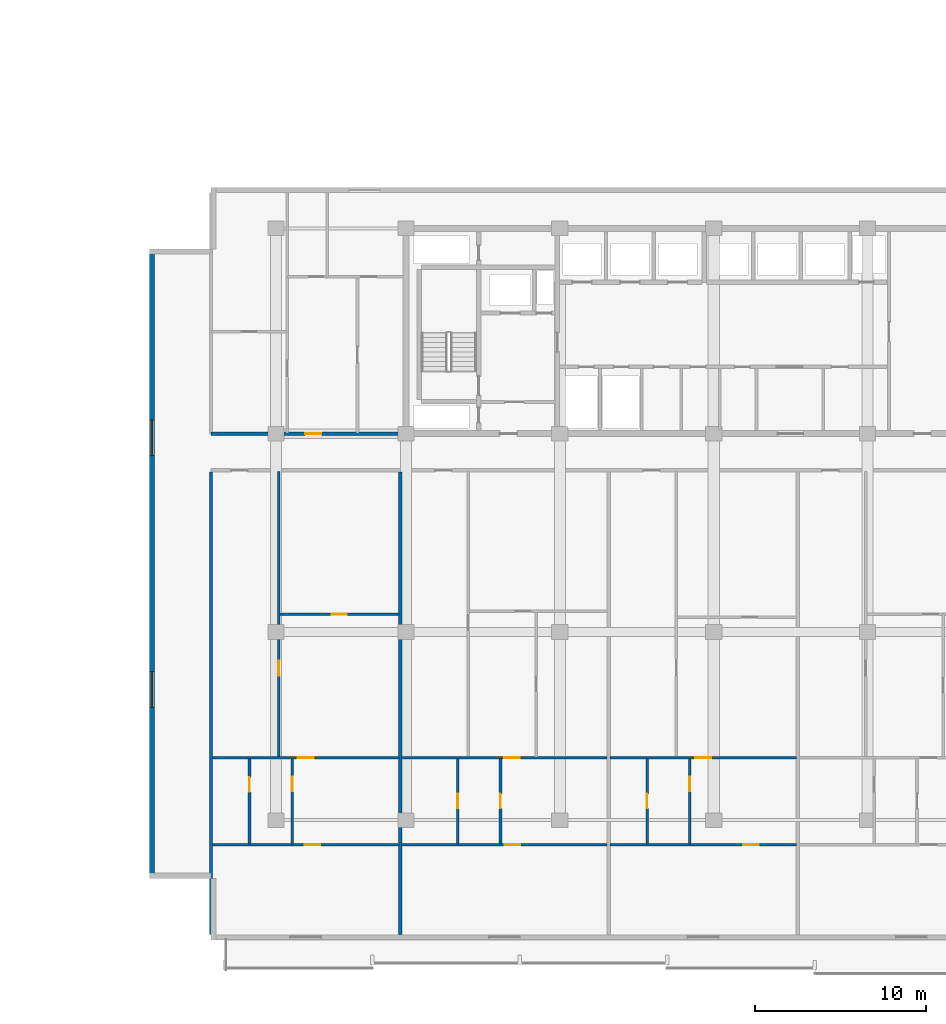
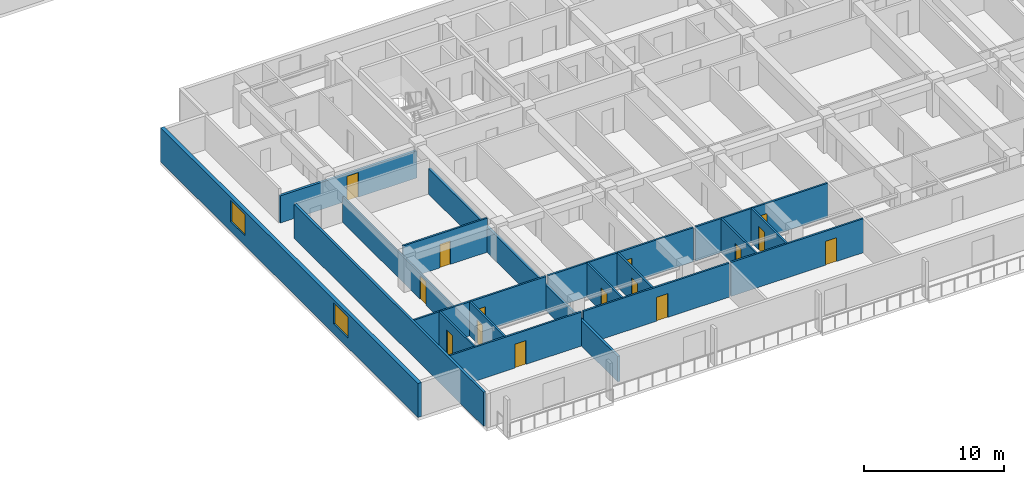
# One storey, part 4 of 23: 18 walls, 15 doors, 2 windows, 17 openings.
"""IFC4 building model written with IfcOpenShell, lengths in metres."""

from ifc_helpers import new_model, si_unit, direction, frame, frame_2d, origin, place, context, subcontext, project, spatial, rectangle, extrude, material, layer, layer_set, type_object, element, fill, save


model = new_model("IFC4")

# Units and contexts
model_context = context("Model", 3, precision=1e-05, world=origin(), true_north=direction((0.0, 1.0)))
body_context = subcontext(model_context, "Body", "Model", "MODEL_VIEW")
ifc_project = project(units=[si_unit("LENGTHUNIT", "METRE"), si_unit("AREAUNIT", "SQUARE_METRE"), si_unit("VOLUMEUNIT", "CUBIC_METRE"), si_unit("PLANEANGLEUNIT", "RADIAN"), si_unit("MASSUNIT", "GRAM", prefix="KILO")], contexts=[model_context])

# Site, building, storey
site_placement = place(None, origin())
site = spatial("IfcSite", under=ifc_project, at=site_placement, CompositionType="ELEMENT")
building_placement = place(site_placement, origin())
building = spatial("IfcBuilding", under=site, at=building_placement, Name="Korimba Cascade Residences", CompositionType="ELEMENT")
storey_placement = place(building_placement, frame((0.0, 0.0, 27.25)))
storey = spatial("IfcBuildingStorey", under=building, at=storey_placement, Name="L06", CompositionType="ELEMENT", Elevation=27.25)

# Wall, openings, windows
ifc_material_1 = material(Name="Precast concrete C40/50", Category="concrete")
ifc_layer_1 = layer(ifc_material_1, 0.300048828125)
ifc_layer_set_1 = layer_set([ifc_layer_1], Name="Precast concrete C40/50")
wall_type_1 = type_object("IfcWallType", Name="EW-STONE-300", PredefinedType="STANDARD", material=ifc_layer_set_1)
wall_1_placement = place(storey_placement, frame((67.25, 29.199951171875, 0.0), z_axis=(0.0, 0.0, 1.0), x_axis=(0.0, -1.0, 0.0)))
wall_1 = element("IfcWall", 1, at=wall_1_placement, inside=storey, type_object=wall_type_1, Name="L06 T2 Perimeter Stone Wall E09", PredefinedType="STANDARD", context=body_context, shape_type="SweptSolid", body=[
    extrude(rectangle(XDim=36.800048828125, YDim=0.300048828125, at=frame_2d((18.39990234375, 0.0))), origin(), (0.0, 0.0, 1.0), 2.969970703125),
])
opening_1_placement = place(wall_1_placement, frame((9.989990234375, 0.0, 0.85009765625)))
opening_1 = element("IfcOpeningElement", 2, at=opening_1_placement, cuts=wall_1, Name="Opening W-03", PredefinedType="OPENING", context=body_context, shape_type="SweptSolid", body=[
    extrude(rectangle(XDim=2.10009765625, YDim=1.85009765625, at=frame_2d((1.050048828125, 0.925048828125))), frame((0.0, 0.16015625, 0.0), z_axis=(0.0, -1.0, 0.0), x_axis=(1.0, 0.0, 0.0)), (0.0, 0.0, 1.0), 0.320068359375),
])
opening_2_placement = place(wall_1_placement, frame((24.7099609375, 0.0, 0.85009765625)))
opening_2 = element("IfcOpeningElement", 3, at=opening_2_placement, cuts=wall_1, Name="Opening W-03", PredefinedType="OPENING", context=body_context, shape_type="SweptSolid", body=[
    extrude(rectangle(XDim=2.10009765625, YDim=1.85009765625, at=frame_2d((1.050048828125, 0.925048828125))), frame((0.0, 0.16015625, 0.0), z_axis=(0.0, -1.0, 0.0), x_axis=(1.0, 0.0, 0.0)), (0.0, 0.0, 1.0), 0.320068359375),
])
ifc_material_2 = material(Name="Double-Glazed Aluminium Window", Category="aluminium")
window_type = type_object("IfcWindowType", Name="WIN-CRN-2100", PartitioningType="DOUBLE_PANEL_HORIZONTAL", PredefinedType="WINDOW", material=ifc_material_2)
window_1_placement = place(opening_1_placement, origin())
window_1 = element("IfcWindow", 4, at=window_1_placement, inside=storey, type_object=window_type, Name="L06 T2 End View Window 9.1", OverallHeight=1.85009765625, OverallWidth=2.10009765625, PartitioningType="DOUBLE_PANEL_HORIZONTAL", PredefinedType="WINDOW", context=body_context, shape_type="SweptSolid", body=[
    extrude(rectangle(XDim=2.10009765625, YDim=1.85009765625, at=frame_2d((1.050048828125, 0.925048828125))), frame((0.0, 0.030029296875, 0.0), z_axis=(0.0, -1.0, 0.0), x_axis=(1.0, 0.0, 0.0)), (0.0, 0.0, 1.0), 0.06005859375),
])
fill(opening_1, window_1)
window_2_placement = place(opening_2_placement, origin())
window_2 = element("IfcWindow", 5, at=window_2_placement, inside=storey, type_object=window_type, Name="L06 T2 End View Window 9.2", OverallHeight=1.85009765625, OverallWidth=2.10009765625, PartitioningType="DOUBLE_PANEL_HORIZONTAL", PredefinedType="WINDOW", context=body_context, shape_type="SweptSolid", body=[
    extrude(rectangle(XDim=2.10009765625, YDim=1.85009765625, at=frame_2d((1.050048828125, 0.925048828125))), frame((0.0, 0.030029296875, 0.0), z_axis=(0.0, -1.0, 0.0), x_axis=(1.0, 0.0, 0.0)), (0.0, 0.0, 1.0), 0.06005859375),
])
fill(opening_2, window_2)

# Wall, opening, door
ifc_layer_2 = layer(ifc_material_1, 0.199951171875)
ifc_layer_set_2 = layer_set([ifc_layer_2], Name="Precast concrete C40/50")
wall_type_2 = type_object("IfcWallType", Name="WAL-IT-200", PredefinedType="PARTITIONING", material=ifc_layer_set_2)
wall_2_placement = place(storey_placement, frame((70.699951171875, 18.39990234375, 0.0), z_axis=(0.0, 0.0, 1.0), x_axis=(1.0, 0.0, 0.0)))
wall_2 = element("IfcWall", 6, at=wall_2_placement, inside=storey, type_object=wall_type_2, Name="L06 Partition Wall WAL-L06-T2-FW-S", PredefinedType="PARTITIONING", context=body_context, shape_type="SweptSolid", body=[
    extrude(rectangle(XDim=11.25, YDim=0.199951171875, at=frame_2d((5.625, 0.0))), origin(), (0.0, 0.0, 1.0), 2.3701171875),
])
opening_3_placement = place(wall_2_placement, frame((5.50634765625, 0.0, 0.0)))
opening_3 = element("IfcOpeningElement", 7, at=opening_3_placement, cuts=wall_2, Name="Opening D-UN1", PredefinedType="OPENING", context=body_context, shape_type="SweptSolid", body=[
    extrude(rectangle(XDim=0.949951171875, YDim=2.14990234375, at=frame_2d((0.47509765625, 1.074951171875))), frame((0.0, 0.10986328125, 0.0), z_axis=(0.0, -1.0, 0.0), x_axis=(1.0, 0.0, 0.0)), (0.0, 0.0, 1.0), 0.219970703125),
])
ifc_material_3 = material(Name="Fire-Rated Hardwood Apartment Entrance Door", Category="wood")
door_type_1 = type_object("IfcDoorType", Name="DR-FD60-950", OperationType="NOTDEFINED", PredefinedType="DOOR", material=ifc_material_3)
door_1_placement = place(opening_3_placement, origin())
door_1 = element("IfcDoor", 8, at=door_1_placement, inside=storey, type_object=door_type_1, Name="L06-T2-FW Entrance Door", OperationType="SINGLE_SWING_RIGHT", OverallHeight=2.14990234375, OverallWidth=0.949951171875, PredefinedType="DOOR", context=body_context, shape_type="SweptSolid", body=[
    extrude(rectangle(XDim=0.949951171875, YDim=2.14990234375, at=frame_2d((0.47509765625, 1.074951171875))), frame((0.0, 0.02490234375, 0.0), z_axis=(0.0, -1.0, 0.0), x_axis=(1.0, 0.0, 0.0)), (0.0, 0.0, 1.0), 0.050048828125),
])
fill(opening_3, door_1)

# Walls
wall_3_placement = place(storey_placement, frame((70.699951171875, -10.89990234375, 0.0), z_axis=(0.0, 0.0, 1.0), x_axis=(0.0, 1.0, 0.0)))
element("IfcWall", 9, at=wall_3_placement, inside=storey, type_object=wall_type_2, Name="L06 Partition Wall WAL-L06-T2-BNDWL", PredefinedType="PARTITIONING", context=body_context, shape_type="SweptSolid", body=[
    extrude(rectangle(XDim=27.06982421875, YDim=0.199951171875, at=frame_2d((13.534912109375, 0.0))), origin(), (0.0, 0.0, 1.0), 2.969970703125),
])
wall_4_placement = place(storey_placement, frame((81.771484375, -10.89990234375, 0.0), z_axis=(0.0, 0.0, 1.0), x_axis=(0.0, 1.0, 0.0)))
element("IfcWall", 10, at=wall_4_placement, inside=storey, type_object=wall_type_2, Name="L06 Partition Wall WAL-L06-T2-DEM-1", PredefinedType="PARTITIONING", context=body_context, shape_type="SweptSolid", body=[
    extrude(rectangle(XDim=27.06982421875, YDim=0.199951171875, at=frame_2d((13.534912109375, 0.0))), origin(), (0.0, 0.0, 1.0), 2.219970703125),
])

# Wall, opening, door
ifc_material_4 = material(Name="Insulated Acoustic Stud Partition", Category="gypsum")
ifc_layer_3 = layer(ifc_material_4, 0.14990234375)
ifc_layer_set_3 = layer_set([ifc_layer_3], Name="Insulated Acoustic Stud Partition")
wall_type_3 = type_object("IfcWallType", Name="WAL-PART-150", PredefinedType="PARTITIONING", material=ifc_layer_set_3)
wall_5_placement = place(storey_placement, frame((74.72998046875, 7.840087890625, 0.0), z_axis=(0.0, 0.0, 1.0), x_axis=(1.0, 0.0, 0.0)))
wall_5 = element("IfcWall", 11, at=wall_5_placement, inside=storey, type_object=wall_type_3, Name="L06 Partition Wall WAL-L06-T2-U01-FMH", PredefinedType="PARTITIONING", context=body_context, shape_type="SweptSolid", body=[
    extrude(rectangle(XDim=6.96142578125, YDim=0.14990234375, at=frame_2d((3.480712890625, 0.0))), origin(), (0.0, 0.0, 1.0), 2.969970703125),
])
opening_4_placement = place(wall_5_placement, frame((3.040771484375, 0.0, 0.0)))
opening_4 = element("IfcOpeningElement", 12, at=opening_4_placement, cuts=wall_5, Name="Opening D-IN2", PredefinedType="OPENING", context=body_context, shape_type="SweptSolid", body=[
    extrude(rectangle(XDim=0.8798828125, YDim=2.06005859375, at=frame_2d((0.43994140625, 1.030029296875))), frame((0.0, 0.0849609375, 0.0), z_axis=(0.0, -1.0, 0.0), x_axis=(1.0, 0.0, 0.0)), (0.0, 0.0, 1.0), 0.169921875),
])
ifc_material_5 = material(Name="Acoustic Timber Bedroom Door", Category="wood")
door_type_2 = type_object("IfcDoorType", Name="DR-INT-880", OperationType="NOTDEFINED", PredefinedType="DOOR", material=ifc_material_5)
door_2_placement = place(opening_4_placement, origin())
door_2 = element("IfcDoor", 13, at=door_2_placement, inside=storey, type_object=door_type_2, Name="L06-T2-U01 Library Salon Door", OperationType="SINGLE_SWING_LEFT", OverallHeight=2.06005859375, OverallWidth=0.8798828125, PredefinedType="DOOR", context=body_context, shape_type="SweptSolid", body=[
    extrude(rectangle(XDim=0.8798828125, YDim=2.06005859375, at=frame_2d((0.43994140625, 1.030029296875))), frame((0.0, 0.02490234375, 0.0), z_axis=(0.0, -1.0, 0.0), x_axis=(1.0, 0.0, 0.0)), (0.0, 0.0, 1.0), 0.050048828125),
])
fill(opening_4, door_2)

wall_6_placement = place(storey_placement, frame((74.669921875, -0.510009765625, 0.0), z_axis=(0.0, 0.0, 1.0), x_axis=(0.0, 1.0, 0.0)))
wall_6 = element("IfcWall", 14, at=wall_6_placement, inside=storey, type_object=wall_type_3, Name="L06 Partition Wall WAL-L06-T2-U01-FV", PredefinedType="PARTITIONING", context=body_context, shape_type="SweptSolid", body=[
    extrude(rectangle(XDim=16.699951171875, YDim=0.14990234375, at=frame_2d((8.35009765625, 0.0))), origin(), (0.0, 0.0, 1.0), 2.219970703125),
])
opening_5_placement = place(wall_6_placement, frame((4.746826171875, 0.0, 0.0)))
opening_5 = element("IfcOpeningElement", 15, at=opening_5_placement, cuts=wall_6, Name="Opening D-IN2", PredefinedType="OPENING", context=body_context, shape_type="SweptSolid", body=[
    extrude(rectangle(XDim=0.8798828125, YDim=2.06005859375, at=frame_2d((0.43994140625, 1.030029296875))), frame((0.0, 0.0849609375, 0.0), z_axis=(0.0, -1.0, 0.0), x_axis=(1.0, 0.0, 0.0)), (0.0, 0.0, 1.0), 0.169921875),
])
door_3_placement = place(opening_5_placement, origin())
door_3 = element("IfcDoor", 16, at=door_3_placement, inside=storey, type_object=door_type_2, Name="L06-T2-U01 Media Lounge Door", OperationType="SINGLE_SWING_RIGHT", OverallHeight=2.06005859375, OverallWidth=0.8798828125, PredefinedType="DOOR", context=body_context, shape_type="SweptSolid", body=[
    extrude(rectangle(XDim=0.8798828125, YDim=2.06005859375, at=frame_2d((0.43994140625, 1.030029296875))), frame((0.0, 0.02490234375, 0.0), z_axis=(0.0, -1.0, 0.0), x_axis=(1.0, 0.0, 0.0)), (0.0, 0.0, 1.0), 0.050048828125),
])
fill(opening_5, door_3)

wall_7_placement = place(storey_placement, frame((72.951416015625, -5.590087890625, 0.0), z_axis=(0.0, 0.0, 1.0), x_axis=(0.0, 1.0, 0.0)))
wall_7 = element("IfcWall", 17, at=wall_7_placement, inside=storey, type_object=wall_type_3, Name="L06 Partition Wall WAL-L06-T2-U01-CLS", PredefinedType="PARTITIONING", context=body_context, shape_type="SweptSolid", body=[
    extrude(rectangle(XDim=5.0, YDim=0.14990234375, at=frame_2d((2.5, 0.0))), origin(), (0.0, 0.0, 1.0), 2.969970703125),
])
opening_6_placement = place(wall_7_placement, frame((3.048828125, 0.0, 0.0)))
opening_6 = element("IfcOpeningElement", 18, at=opening_6_placement, cuts=wall_7, Name="Opening D-BT1", PredefinedType="OPENING", context=body_context, shape_type="SweptSolid", body=[
    extrude(rectangle(XDim=0.840087890625, YDim=2.0400390625, at=frame_2d((0.419921875, 1.02001953125))), frame((0.0, 0.0849609375, 0.0), z_axis=(0.0, -1.0, 0.0), x_axis=(1.0, 0.0, 0.0)), (0.0, 0.0, 1.0), 0.169921875),
])
ifc_material_6 = material(Name="Moisture-Resistant Bathroom Timber Door", Category="wood")
door_type_3 = type_object("IfcDoorType", Name="DR-INT-850", OperationType="NOTDEFINED", PredefinedType="DOOR", material=ifc_material_6)
door_4_placement = place(opening_6_placement, origin())
door_4 = element("IfcDoor", 19, at=door_4_placement, inside=storey, type_object=door_type_3, Name="L06-T2-U01 Closet Door", OperationType="SINGLE_SWING_LEFT", OverallHeight=2.0400390625, OverallWidth=0.840087890625, PredefinedType="DOOR", context=body_context, shape_type="SweptSolid", body=[
    extrude(rectangle(XDim=0.840087890625, YDim=2.0400390625, at=frame_2d((0.419921875, 1.02001953125))), frame((0.0, 0.02490234375, 0.0), z_axis=(0.0, -1.0, 0.0), x_axis=(1.0, 0.0, 0.0)), (0.0, 0.0, 1.0), 0.050048828125),
])
fill(opening_6, door_4)

wall_8_placement = place(storey_placement, frame((75.451416015625, -5.590087890625, 0.0), z_axis=(0.0, 0.0, 1.0), x_axis=(0.0, 1.0, 0.0)))
wall_8 = element("IfcWall", 20, at=wall_8_placement, inside=storey, type_object=wall_type_3, Name="L06 Partition Wall WAL-L06-T2-U01-BM", PredefinedType="PARTITIONING", context=body_context, shape_type="SweptSolid", body=[
    extrude(rectangle(XDim=5.0, YDim=0.14990234375, at=frame_2d((2.5, 0.0))), origin(), (0.0, 0.0, 1.0), 2.969970703125),
])
opening_7_placement = place(wall_8_placement, frame((3.087890625, 0.0, 0.0)))
opening_7 = element("IfcOpeningElement", 21, at=opening_7_placement, cuts=wall_8, Name="Opening D-BT1", PredefinedType="OPENING", context=body_context, shape_type="SweptSolid", body=[
    extrude(rectangle(XDim=0.840087890625, YDim=2.0400390625, at=frame_2d((0.419921875, 1.02001953125))), frame((0.0, 0.0849609375, 0.0), z_axis=(0.0, -1.0, 0.0), x_axis=(1.0, 0.0, 0.0)), (0.0, 0.0, 1.0), 0.169921875),
])
door_5_placement = place(opening_7_placement, origin())
door_5 = element("IfcDoor", 22, at=door_5_placement, inside=storey, type_object=door_type_3, Name="L06-T2-U01 Bathroom Door", OperationType="SINGLE_SWING_RIGHT", OverallHeight=2.0400390625, OverallWidth=0.840087890625, PredefinedType="DOOR", context=body_context, shape_type="SweptSolid", body=[
    extrude(rectangle(XDim=0.840087890625, YDim=2.0400390625, at=frame_2d((0.419921875, 1.02001953125))), frame((0.0, 0.02490234375, 0.0), z_axis=(0.0, -1.0, 0.0), x_axis=(1.0, 0.0, 0.0)), (0.0, 0.0, 1.0), 0.050048828125),
])
fill(opening_7, door_5)

wall_9_placement = place(storey_placement, frame((70.780029296875, -0.550048828125, 0.0), z_axis=(0.0, 0.0, 1.0), x_axis=(1.0, 0.0, 0.0)))
wall_9 = element("IfcWall", 23, at=wall_9_placement, inside=storey, type_object=wall_type_3, Name="L06 Partition Wall WAL-L06-T2-U01-MW", PredefinedType="PARTITIONING", context=body_context, shape_type="SweptSolid", body=[
    extrude(rectangle(XDim=10.911376953125, YDim=0.14990234375, at=frame_2d((5.45556640625, 0.0))), origin(), (0.0, 0.0, 1.0), 2.969970703125),
])
opening_8_placement = place(wall_9_placement, frame((4.99560546875, 0.0, 0.0)))
opening_8 = element("IfcOpeningElement", 24, at=opening_8_placement, cuts=wall_9, Name="Opening D-IN1", PredefinedType="OPENING", context=body_context, shape_type="SweptSolid", body=[
    extrude(rectangle(XDim=0.919921875, YDim=2.080078125, at=frame_2d((0.4599609375, 1.0400390625))), frame((0.0, 0.0849609375, 0.0), z_axis=(0.0, -1.0, 0.0), x_axis=(1.0, 0.0, 0.0)), (0.0, 0.0, 1.0), 0.169921875),
])
ifc_material_7 = material(Name="Acoustic Timber Living Door", Category="wood")
door_type_4 = type_object("IfcDoorType", Name="DR-INT-920", OperationType="NOTDEFINED", PredefinedType="DOOR", material=ifc_material_7)
door_6_placement = place(opening_8_placement, origin())
door_6 = element("IfcDoor", 25, at=door_6_placement, inside=storey, type_object=door_type_4, Name="L06-T2-U01 Studio Kitchen Door", OperationType="SINGLE_SWING_LEFT", OverallHeight=2.080078125, OverallWidth=0.919921875, PredefinedType="DOOR", context=body_context, shape_type="SweptSolid", body=[
    extrude(rectangle(XDim=0.919921875, YDim=2.080078125, at=frame_2d((0.4599609375, 1.0400390625))), frame((0.0, 0.02490234375, 0.0), z_axis=(0.0, -1.0, 0.0), x_axis=(1.0, 0.0, 0.0)), (0.0, 0.0, 1.0), 0.050048828125),
])
fill(opening_8, door_6)

wall_10_placement = place(storey_placement, frame((70.780029296875, -5.64990234375, 0.0), z_axis=(0.0, 0.0, 1.0), x_axis=(1.0, 0.0, 0.0)))
wall_10 = element("IfcWall", 26, at=wall_10_placement, inside=storey, type_object=wall_type_3, Name="L06 Partition Wall WAL-L06-T2-U01-HZ", PredefinedType="PARTITIONING", context=body_context, shape_type="SweptSolid", body=[
    extrude(rectangle(XDim=10.911376953125, YDim=0.14990234375, at=frame_2d((5.45556640625, 0.0))), origin(), (0.0, 0.0, 1.0), 2.969970703125),
])
opening_9_placement = place(wall_10_placement, frame((5.3994140625, 0.0, 0.0)))
opening_9 = element("IfcOpeningElement", 27, at=opening_9_placement, cuts=wall_10, Name="Opening D-IN1", PredefinedType="OPENING", context=body_context, shape_type="SweptSolid", body=[
    extrude(rectangle(XDim=0.919921875, YDim=2.080078125, at=frame_2d((0.4599609375, 1.0400390625))), frame((0.0, 0.0849609375, 0.0), z_axis=(0.0, -1.0, 0.0), x_axis=(1.0, 0.0, 0.0)), (0.0, 0.0, 1.0), 0.169921875),
])
door_7_placement = place(opening_9_placement, origin())
door_7 = element("IfcDoor", 28, at=door_7_placement, inside=storey, type_object=door_type_4, Name="L06-T2-U01 Studio Door", OperationType="SINGLE_SWING_RIGHT", OverallHeight=2.080078125, OverallWidth=0.919921875, PredefinedType="DOOR", context=body_context, shape_type="SweptSolid", body=[
    extrude(rectangle(XDim=0.919921875, YDim=2.080078125, at=frame_2d((0.4599609375, 1.0400390625))), frame((0.0, 0.02490234375, 0.0), z_axis=(0.0, -1.0, 0.0), x_axis=(1.0, 0.0, 0.0)), (0.0, 0.0, 1.0), 0.050048828125),
])
fill(opening_9, door_7)

wall_11_placement = place(storey_placement, frame((85.1298828125, -5.590087890625, 0.0), z_axis=(0.0, 0.0, 1.0), x_axis=(0.0, 1.0, 0.0)))
wall_11 = element("IfcWall", 29, at=wall_11_placement, inside=storey, type_object=wall_type_3, Name="L06 Partition Wall WAL-L06-T2-U02-CLS", PredefinedType="PARTITIONING", context=body_context, shape_type="SweptSolid", body=[
    extrude(rectangle(XDim=5.0, YDim=0.14990234375, at=frame_2d((2.5, 0.0))), origin(), (0.0, 0.0, 1.0), 2.969970703125),
])
opening_10_placement = place(wall_11_placement, frame((2.080078125, 0.0, 0.0)))
opening_10 = element("IfcOpeningElement", 30, at=opening_10_placement, cuts=wall_11, Name="Opening D-BT1", PredefinedType="OPENING", context=body_context, shape_type="SweptSolid", body=[
    extrude(rectangle(XDim=0.840087890625, YDim=2.0400390625, at=frame_2d((0.419921875, 1.02001953125))), frame((0.0, 0.0849609375, 0.0), z_axis=(0.0, -1.0, 0.0), x_axis=(1.0, 0.0, 0.0)), (0.0, 0.0, 1.0), 0.169921875),
])
door_8_placement = place(opening_10_placement, origin())
door_8 = element("IfcDoor", 31, at=door_8_placement, inside=storey, type_object=door_type_3, Name="L06-T2-U02 Closet Door", OperationType="SINGLE_SWING_RIGHT", OverallHeight=2.0400390625, OverallWidth=0.840087890625, PredefinedType="DOOR", context=body_context, shape_type="SweptSolid", body=[
    extrude(rectangle(XDim=0.840087890625, YDim=2.0400390625, at=frame_2d((0.419921875, 1.02001953125))), frame((0.0, 0.02490234375, 0.0), z_axis=(0.0, -1.0, 0.0), x_axis=(1.0, 0.0, 0.0)), (0.0, 0.0, 1.0), 0.050048828125),
])
fill(opening_10, door_8)

wall_12_placement = place(storey_placement, frame((87.6298828125, -5.590087890625, 0.0), z_axis=(0.0, 0.0, 1.0), x_axis=(0.0, 1.0, 0.0)))
wall_12 = element("IfcWall", 32, at=wall_12_placement, inside=storey, type_object=wall_type_3, Name="L06 Partition Wall WAL-L06-T2-U02-BM", PredefinedType="PARTITIONING", context=body_context, shape_type="SweptSolid", body=[
    extrude(rectangle(XDim=5.0, YDim=0.14990234375, at=frame_2d((2.5, 0.0))), origin(), (0.0, 0.0, 1.0), 2.969970703125),
])
opening_11_placement = place(wall_12_placement, frame((2.080078125, 0.0, 0.0)))
opening_11 = element("IfcOpeningElement", 33, at=opening_11_placement, cuts=wall_12, Name="Opening D-BT1", PredefinedType="OPENING", context=body_context, shape_type="SweptSolid", body=[
    extrude(rectangle(XDim=0.840087890625, YDim=2.0400390625, at=frame_2d((0.419921875, 1.02001953125))), frame((0.0, 0.0849609375, 0.0), z_axis=(0.0, -1.0, 0.0), x_axis=(1.0, 0.0, 0.0)), (0.0, 0.0, 1.0), 0.169921875),
])
door_9_placement = place(opening_11_placement, origin())
door_9 = element("IfcDoor", 34, at=door_9_placement, inside=storey, type_object=door_type_3, Name="L06-T2-U02 Bathroom Door", OperationType="SINGLE_SWING_LEFT", OverallHeight=2.0400390625, OverallWidth=0.840087890625, PredefinedType="DOOR", context=body_context, shape_type="SweptSolid", body=[
    extrude(rectangle(XDim=0.840087890625, YDim=2.0400390625, at=frame_2d((0.419921875, 1.02001953125))), frame((0.0, 0.02490234375, 0.0), z_axis=(0.0, -1.0, 0.0), x_axis=(1.0, 0.0, 0.0)), (0.0, 0.0, 1.0), 0.050048828125),
])
fill(opening_11, door_9)

wall_13_placement = place(storey_placement, frame((81.851318359375, -0.550048828125, 0.0), z_axis=(0.0, 0.0, 1.0), x_axis=(1.0, 0.0, 0.0)))
wall_13 = element("IfcWall", 35, at=wall_13_placement, inside=storey, type_object=wall_type_3, Name="L06 Partition Wall WAL-L06-T2-U02-MW", PredefinedType="PARTITIONING", context=body_context, shape_type="SweptSolid", body=[
    extrude(rectangle(XDim=12.018798828125, YDim=0.14990234375, at=frame_2d((6.00927734375, 0.0))), origin(), (0.0, 0.0, 1.0), 2.969970703125),
])
opening_12_placement = place(wall_13_placement, frame((5.99853515625, 0.0, 0.0)))
opening_12 = element("IfcOpeningElement", 36, at=opening_12_placement, cuts=wall_13, Name="Opening D-IN1", PredefinedType="OPENING", context=body_context, shape_type="SweptSolid", body=[
    extrude(rectangle(XDim=0.919921875, YDim=2.080078125, at=frame_2d((0.4599609375, 1.0400390625))), frame((0.0, 0.0849609375, 0.0), z_axis=(0.0, -1.0, 0.0), x_axis=(1.0, 0.0, 0.0)), (0.0, 0.0, 1.0), 0.169921875),
])
door_10_placement = place(opening_12_placement, origin())
door_10 = element("IfcDoor", 37, at=door_10_placement, inside=storey, type_object=door_type_4, Name="L06-T2-U02 Studio Kitchen Door", OperationType="SINGLE_SWING_RIGHT", OverallHeight=2.080078125, OverallWidth=0.919921875, PredefinedType="DOOR", context=body_context, shape_type="SweptSolid", body=[
    extrude(rectangle(XDim=0.919921875, YDim=2.080078125, at=frame_2d((0.4599609375, 1.0400390625))), frame((0.0, 0.02490234375, 0.0), z_axis=(0.0, -1.0, 0.0), x_axis=(1.0, 0.0, 0.0)), (0.0, 0.0, 1.0), 0.050048828125),
])
fill(opening_12, door_10)

wall_14_placement = place(storey_placement, frame((81.851318359375, -5.64990234375, 0.0), z_axis=(0.0, 0.0, 1.0), x_axis=(1.0, 0.0, 0.0)))
wall_14 = element("IfcWall", 38, at=wall_14_placement, inside=storey, type_object=wall_type_3, Name="L06 Partition Wall WAL-L06-T2-U02-HZ", PredefinedType="PARTITIONING", context=body_context, shape_type="SweptSolid", body=[
    extrude(rectangle(XDim=12.018798828125, YDim=0.14990234375, at=frame_2d((6.00927734375, 0.0))), origin(), (0.0, 0.0, 1.0), 2.969970703125),
])
opening_13_placement = place(wall_14_placement, frame((6.028564453125, 0.0, 0.0)))
opening_13 = element("IfcOpeningElement", 39, at=opening_13_placement, cuts=wall_14, Name="Opening D-IN1", PredefinedType="OPENING", context=body_context, shape_type="SweptSolid", body=[
    extrude(rectangle(XDim=0.919921875, YDim=2.080078125, at=frame_2d((0.4599609375, 1.0400390625))), frame((0.0, 0.0849609375, 0.0), z_axis=(0.0, -1.0, 0.0), x_axis=(1.0, 0.0, 0.0)), (0.0, 0.0, 1.0), 0.169921875),
])
door_11_placement = place(opening_13_placement, origin())
door_11 = element("IfcDoor", 40, at=door_11_placement, inside=storey, type_object=door_type_4, Name="L06-T2-U02 Studio Door", OperationType="SINGLE_SWING_LEFT", OverallHeight=2.080078125, OverallWidth=0.919921875, PredefinedType="DOOR", context=body_context, shape_type="SweptSolid", body=[
    extrude(rectangle(XDim=0.919921875, YDim=2.080078125, at=frame_2d((0.4599609375, 1.0400390625))), frame((0.0, 0.02490234375, 0.0), z_axis=(0.0, -1.0, 0.0), x_axis=(1.0, 0.0, 0.0)), (0.0, 0.0, 1.0), 0.050048828125),
])
fill(opening_13, door_11)

wall_15_placement = place(storey_placement, frame((96.201416015625, -5.590087890625, 0.0), z_axis=(0.0, 0.0, 1.0), x_axis=(0.0, 1.0, 0.0)))
wall_15 = element("IfcWall", 41, at=wall_15_placement, inside=storey, type_object=wall_type_3, Name="L06 Partition Wall WAL-L06-T2-U03-CLS", PredefinedType="PARTITIONING", context=body_context, shape_type="SweptSolid", body=[
    extrude(rectangle(XDim=5.0, YDim=0.14990234375, at=frame_2d((2.5, 0.0))), origin(), (0.0, 0.0, 1.0), 2.969970703125),
])
opening_14_placement = place(wall_15_placement, frame((2.080078125, 0.0, 0.0)))
opening_14 = element("IfcOpeningElement", 42, at=opening_14_placement, cuts=wall_15, Name="Opening D-BT1", PredefinedType="OPENING", context=body_context, shape_type="SweptSolid", body=[
    extrude(rectangle(XDim=0.840087890625, YDim=2.0400390625, at=frame_2d((0.419921875, 1.02001953125))), frame((0.0, 0.0849609375, 0.0), z_axis=(0.0, -1.0, 0.0), x_axis=(1.0, 0.0, 0.0)), (0.0, 0.0, 1.0), 0.169921875),
])
door_12_placement = place(opening_14_placement, origin())
door_12 = element("IfcDoor", 43, at=door_12_placement, inside=storey, type_object=door_type_3, Name="L06-T2-U03 Closet Door", OperationType="SINGLE_SWING_RIGHT", OverallHeight=2.0400390625, OverallWidth=0.840087890625, PredefinedType="DOOR", context=body_context, shape_type="SweptSolid", body=[
    extrude(rectangle(XDim=0.840087890625, YDim=2.0400390625, at=frame_2d((0.419921875, 1.02001953125))), frame((0.0, 0.02490234375, 0.0), z_axis=(0.0, -1.0, 0.0), x_axis=(1.0, 0.0, 0.0)), (0.0, 0.0, 1.0), 0.050048828125),
])
fill(opening_14, door_12)

wall_16_placement = place(storey_placement, frame((98.701416015625, -5.590087890625, 0.0), z_axis=(0.0, 0.0, 1.0), x_axis=(0.0, 1.0, 0.0)))
wall_16 = element("IfcWall", 44, at=wall_16_placement, inside=storey, type_object=wall_type_3, Name="L06 Partition Wall WAL-L06-T2-U03-BM", PredefinedType="PARTITIONING", context=body_context, shape_type="SweptSolid", body=[
    extrude(rectangle(XDim=5.0, YDim=0.14990234375, at=frame_2d((2.5, 0.0))), origin(), (0.0, 0.0, 1.0), 2.969970703125),
])
opening_15_placement = place(wall_16_placement, frame((3.087890625, 0.0, 0.0)))
opening_15 = element("IfcOpeningElement", 45, at=opening_15_placement, cuts=wall_16, Name="Opening D-BT1", PredefinedType="OPENING", context=body_context, shape_type="SweptSolid", body=[
    extrude(rectangle(XDim=0.840087890625, YDim=2.0400390625, at=frame_2d((0.419921875, 1.02001953125))), frame((0.0, 0.0849609375, 0.0), z_axis=(0.0, -1.0, 0.0), x_axis=(1.0, 0.0, 0.0)), (0.0, 0.0, 1.0), 0.169921875),
])
door_13_placement = place(opening_15_placement, origin())
door_13 = element("IfcDoor", 46, at=door_13_placement, inside=storey, type_object=door_type_3, Name="L06-T2-U03 Bathroom Door", OperationType="SINGLE_SWING_LEFT", OverallHeight=2.0400390625, OverallWidth=0.840087890625, PredefinedType="DOOR", context=body_context, shape_type="SweptSolid", body=[
    extrude(rectangle(XDim=0.840087890625, YDim=2.0400390625, at=frame_2d((0.419921875, 1.02001953125))), frame((0.0, 0.02490234375, 0.0), z_axis=(0.0, -1.0, 0.0), x_axis=(1.0, 0.0, 0.0)), (0.0, 0.0, 1.0), 0.050048828125),
])
fill(opening_15, door_13)

wall_17_placement = place(storey_placement, frame((94.030029296875, -0.550048828125, 0.0), z_axis=(0.0, 0.0, 1.0), x_axis=(1.0, 0.0, 0.0)))
wall_17 = element("IfcWall", 47, at=wall_17_placement, inside=storey, type_object=wall_type_3, Name="L06 Partition Wall WAL-L06-T2-U03-MW", PredefinedType="PARTITIONING", context=body_context, shape_type="SweptSolid", body=[
    extrude(rectangle(XDim=10.911376953125, YDim=0.14990234375, at=frame_2d((5.45556640625, 0.0))), origin(), (0.0, 0.0, 1.0), 2.969970703125),
])
opening_16_placement = place(wall_17_placement, frame((4.99560546875, 0.0, 0.0)))
opening_16 = element("IfcOpeningElement", 48, at=opening_16_placement, cuts=wall_17, Name="Opening D-IN1", PredefinedType="OPENING", context=body_context, shape_type="SweptSolid", body=[
    extrude(rectangle(XDim=0.919921875, YDim=2.080078125, at=frame_2d((0.4599609375, 1.0400390625))), frame((0.0, 0.0849609375, 0.0), z_axis=(0.0, -1.0, 0.0), x_axis=(1.0, 0.0, 0.0)), (0.0, 0.0, 1.0), 0.169921875),
])
door_14_placement = place(opening_16_placement, origin())
door_14 = element("IfcDoor", 49, at=door_14_placement, inside=storey, type_object=door_type_4, Name="L06-T2-U03 Studio Kitchen Door", OperationType="SINGLE_SWING_RIGHT", OverallHeight=2.080078125, OverallWidth=0.919921875, PredefinedType="DOOR", context=body_context, shape_type="SweptSolid", body=[
    extrude(rectangle(XDim=0.919921875, YDim=2.080078125, at=frame_2d((0.4599609375, 1.0400390625))), frame((0.0, 0.02490234375, 0.0), z_axis=(0.0, -1.0, 0.0), x_axis=(1.0, 0.0, 0.0)), (0.0, 0.0, 1.0), 0.050048828125),
])
fill(opening_16, door_14)

wall_18_placement = place(storey_placement, frame((94.030029296875, -5.64990234375, 0.0), z_axis=(0.0, 0.0, 1.0), x_axis=(1.0, 0.0, 0.0)))
wall_18 = element("IfcWall", 50, at=wall_18_placement, inside=storey, type_object=wall_type_3, Name="L06 Partition Wall WAL-L06-T2-U03-HZ", PredefinedType="PARTITIONING", context=body_context, shape_type="SweptSolid", body=[
    extrude(rectangle(XDim=10.911376953125, YDim=0.14990234375, at=frame_2d((5.45556640625, 0.0))), origin(), (0.0, 0.0, 1.0), 2.969970703125),
])
opening_17_placement = place(wall_18_placement, frame((7.789306640625, 0.0, 0.0)))
opening_17 = element("IfcOpeningElement", 51, at=opening_17_placement, cuts=wall_18, Name="Opening D-IN1", PredefinedType="OPENING", context=body_context, shape_type="SweptSolid", body=[
    extrude(rectangle(XDim=0.919921875, YDim=2.080078125, at=frame_2d((0.4599609375, 1.0400390625))), frame((0.0, 0.0849609375, 0.0), z_axis=(0.0, -1.0, 0.0), x_axis=(1.0, 0.0, 0.0)), (0.0, 0.0, 1.0), 0.169921875),
])
door_15_placement = place(opening_17_placement, origin())
door_15 = element("IfcDoor", 52, at=door_15_placement, inside=storey, type_object=door_type_4, Name="L06-T2-U03 Studio Door", OperationType="SINGLE_SWING_LEFT", OverallHeight=2.080078125, OverallWidth=0.919921875, PredefinedType="DOOR", context=body_context, shape_type="SweptSolid", body=[
    extrude(rectangle(XDim=0.919921875, YDim=2.080078125, at=frame_2d((0.4599609375, 1.0400390625))), frame((0.0, 0.02490234375, 0.0), z_axis=(0.0, -1.0, 0.0), x_axis=(1.0, 0.0, 0.0)), (0.0, 0.0, 1.0), 0.050048828125),
])
fill(opening_17, door_15)

save(model, "model.ifc")
